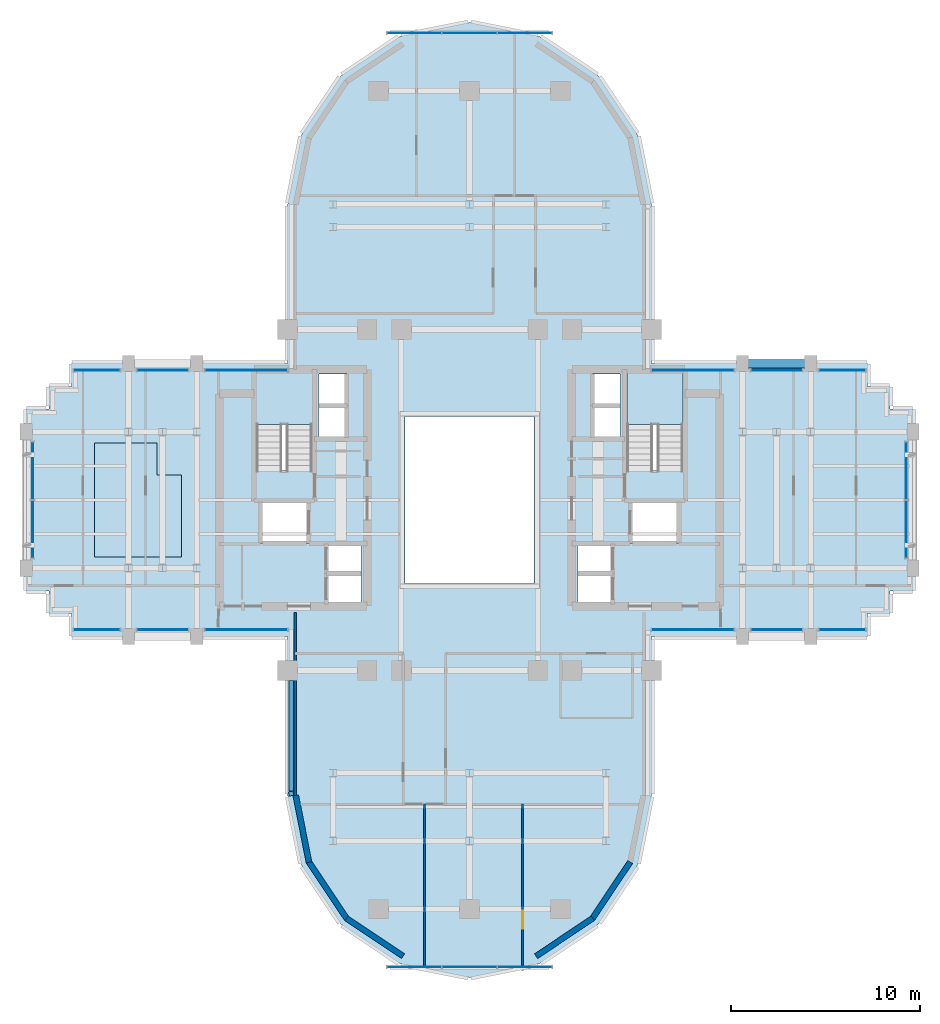
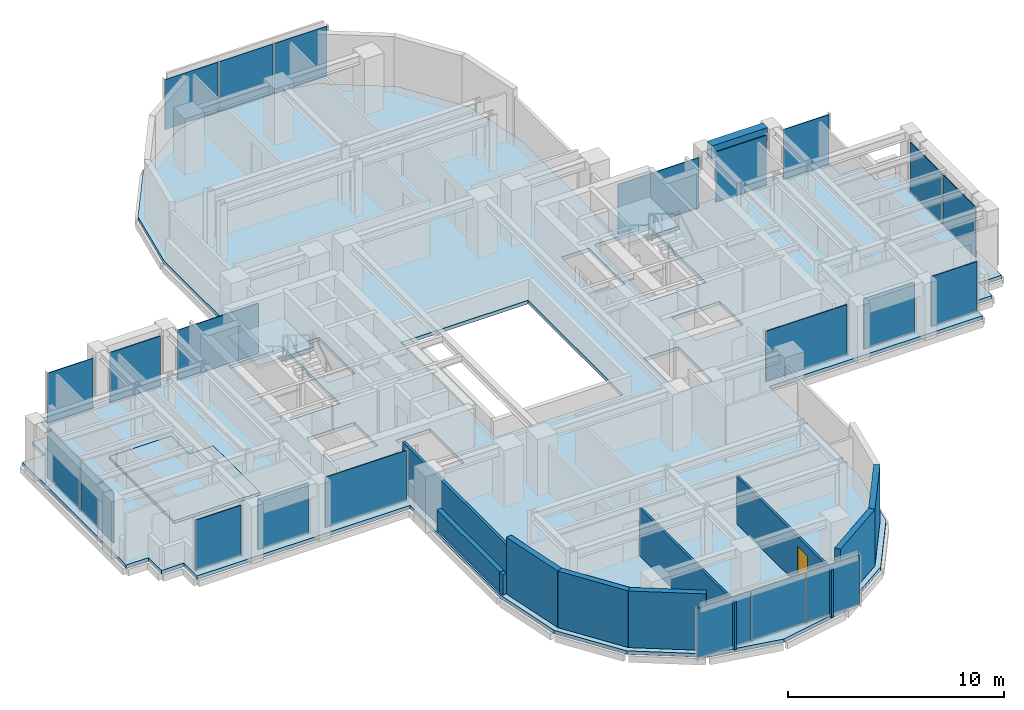
# One storey, part 7 of 14: 22 plates, 10 walls, 4 slabs, 1 beam, 1 door, 1 opening, 18 elements without a shape of their own.
"""IFC4 building model written with IfcOpenShell, lengths in metres."""

from ifc_helpers import new_model, si_unit, direction, frame, frame_2d, origin, origin_2d, place, context, subcontext, project, spatial, polyline, rectangle, outline, extrude, source, transform, mapped, material, layer, layer_set, material_profile, profile_set, type_object, element, fill, aggregate, save


model = new_model("IFC4")

# Units and contexts
model_context = context("Model", 3, precision=1e-05, world=origin(), true_north=direction((0.0, 1.0)))
body_context = subcontext(model_context, "Body", "Model", "MODEL_VIEW")
ifc_project = project(units=[si_unit("LENGTHUNIT", "METRE"), si_unit("AREAUNIT", "SQUARE_METRE"), si_unit("VOLUMEUNIT", "CUBIC_METRE"), si_unit("PLANEANGLEUNIT", "RADIAN"), si_unit("MASSUNIT", "GRAM", prefix="KILO")], contexts=[model_context])

# Site, building, storey
site_placement = place(None, origin())
site = spatial("IfcSite", under=ifc_project, at=site_placement, CompositionType="ELEMENT")
building_placement = place(site_placement, origin())
building = spatial("IfcBuilding", under=site, at=building_placement, Name="Keilestroom Media Tower", CompositionType="ELEMENT")
storey_placement = place(building_placement, frame((0.0, 0.0, 121.0)))
storey = spatial("IfcBuildingStorey", under=building, at=storey_placement, Name="L32", CompositionType="ELEMENT", Elevation=121.0)

# Beam
ifc_material_1 = material(Name="Precast concrete C40/50", Category="concrete")
ifc_material_profile = material_profile(ifc_material_1, rectangle(XDim=0.449951171875, YDim=0.75, at=origin_2d()), Name="PC 450x750")
ifc_profile_set = profile_set([ifc_material_profile], Name="Precast concrete C40/50")
beam_type = type_object("IfcBeamType", Name="Perimeter-Spandrel-Beam-PC-450x750", PredefinedType="SPANDREL", material=ifc_profile_set)
shared_shape_1 = source(origin(), body_context, "Body", "SweptSolid", [
    extrude(rectangle(XDim=0.449951171875, YDim=0.75, at=origin_2d()), origin(), (0.0, 0.0, 1.0), 2.989990234375),
])
beam_placement = place(storey_placement, frame((14.705078125, 7.199951171875, 2.824951171875), z_axis=(1.0, 0.0, 0.0), x_axis=(0.0, 1.0, 0.0)))
element("IfcBeam", 1, at=beam_placement, inside=storey, type_object=beam_type, Name="L32 Beam SPB-1 BM-L32-EW-027", PredefinedType="SPANDREL", context=body_context, shape_type="MappedRepresentation", body=[
    mapped(shared_shape_1, transform((0.0, 0.0, 0.0), x_axis=(1.0, 0.0, 0.0), y_axis=(0.0, 1.0, 0.0), z_axis=(0.0, 0.0, 1.0), scale=1.0)),
])

# Slabs
ifc_material_2 = material(Name="Concrete C50/60", Category="concrete")
ifc_layer_1 = layer(ifc_material_2, 0.199951171875)
ifc_layer_set_1 = layer_set([ifc_layer_1], Name="Concrete C50/60")
slab_type_1 = type_object("IfcSlabType", Name="Composite-Floor-Slab-200", PredefinedType="FLOOR", material=ifc_layer_set_1)
slab_1_placement = place(storey_placement, frame((0.0, 0.0, -0.199951171875)))
element("IfcSlab", 2, at=slab_1_placement, inside=storey, type_object=slab_type_1, Name="L32 Structural Composite Floor Slab", PredefinedType="FLOOR", context=body_context, shape_type="SweptSolid", body=[
    extrude(outline(polyline([(23.39990234375, -4.800048828125), (23.39990234375, 4.800048828125), (22.199951171875, 4.800048828125), (22.199951171875, 6.0), (21.0, 6.0), (21.0, 7.199951171875), (9.60009765625, 7.199951171875), (9.60009765625, 9.60009765625), (9.60009765625, 15.60009765625), (8.869140625, 19.273681640625), (6.7880859375, 22.38818359375), (3.673828125, 24.46923828125), (0.0, 25.199951171875), (-3.673828125, 24.46923828125), (-6.7880859375, 22.38818359375), (-8.869140625, 19.273681640625), (-9.60009765625, 15.60009765625), (-9.60009765625, 9.60009765625), (-9.60009765625, 7.199951171875), (-21.0, 7.199951171875), (-21.0, 6.0), (-22.199951171875, 6.0), (-22.199951171875, 4.800048828125), (-23.39990234375, 4.800048828125), (-23.39990234375, -4.800048828125), (-22.199951171875, -4.800048828125), (-22.199951171875, -6.0), (-21.0, -6.0), (-21.0, -7.199951171875), (-9.60009765625, -7.199951171875), (-9.60009765625, -9.60009765625), (-9.60009765625, -15.60009765625), (-8.869140625, -19.273681640625), (-6.7880859375, -22.38818359375), (-3.673828125, -24.46923828125), (0.0, -25.199951171875), (3.673828125, -24.46923828125), (6.7880859375, -22.38818359375), (8.869140625, -19.273681640625), (9.60009765625, -15.60009765625), (9.60009765625, -9.60009765625), (9.60009765625, -7.199951171875), (21.0, -7.199951171875), (21.0, -6.0), (22.199951171875, -6.0), (22.199951171875, -4.800048828125), (23.39990234375, -4.800048828125)]), holes=[polyline([(-11.260009765625, 1.544921875), (-11.260009765625, 6.760009765625), (-8.300048828125, 6.760009765625), (-8.300048828125, 1.544921875), (-11.260009765625, 1.544921875)]), polyline([(-11.050048828125, -2.280029296875), (-11.050048828125, -0.10009765625), (-8.47998046875, -0.10009765625), (-8.47998046875, -2.280029296875), (-11.050048828125, -2.280029296875)]), polyline([(-7.949951171875, 3.300048828125), (-7.949951171875, 6.64990234375), (-6.47998046875, 6.64990234375), (-6.47998046875, 3.300048828125), (-7.949951171875, 3.300048828125)]), polyline([(-7.56005859375, -2.320068359375), (-5.719970703125, -2.320068359375), (-5.719970703125, -5.47998046875), (-7.56005859375, -5.47998046875), (-7.56005859375, -2.320068359375)]), polyline([(3.39990234375, -4.39990234375), (-3.39990234375, -4.39990234375), (-3.39990234375, 4.39990234375), (3.39990234375, 4.39990234375), (3.39990234375, -4.39990234375)]), polyline([(7.56005859375, -2.320068359375), (7.56005859375, -5.47998046875), (5.719970703125, -5.47998046875), (5.719970703125, -2.320068359375), (7.56005859375, -2.320068359375)]), polyline([(6.47998046875, 3.300048828125), (6.47998046875, 6.64990234375), (7.949951171875, 6.64990234375), (7.949951171875, 3.300048828125), (6.47998046875, 3.300048828125)]), polyline([(8.300048828125, 1.544921875), (8.300048828125, 6.760009765625), (11.260009765625, 6.760009765625), (11.260009765625, 1.544921875), (8.300048828125, 1.544921875)]), polyline([(8.47998046875, -2.280029296875), (8.47998046875, -0.10009765625), (11.050048828125, -0.10009765625), (11.050048828125, -2.280029296875), (8.47998046875, -2.280029296875)])]), origin(), (0.0, 0.0, 1.0), 0.199951171875),
])
ifc_material_3 = material(Name="Concrete C45/55", Category="concrete")
ifc_layer_2 = layer(ifc_material_3, 0.14990234375)
ifc_layer_set_2 = layer_set([ifc_layer_2], Name="Concrete C45/55")
slab_type_2 = type_object("IfcSlabType", Name="Floating-Studio-Floor-Slab-150", PredefinedType="FLOOR", material=ifc_layer_set_2)
slab_2_placement = place(storey_placement, origin())
element("IfcSlab", 3, at=slab_2_placement, inside=storey, type_object=slab_type_2, Name="L32 Acoustic Floating Studio Slab ST-RAD-Z2", PredefinedType="FLOOR", context=body_context, shape_type="SweptSolid", body=[
    extrude(outline(polyline([(-19.800048828125, -3.0), (-15.199951171875, -3.0), (-15.199951171875, 1.320068359375), (-16.488037109375, 1.320068359375), (-16.488037109375, 3.0), (-19.800048828125, 3.0), (-19.800048828125, -3.0)])), origin(), (0.0, 0.0, 1.0), 0.14990234375),
])

# Stair, slab
stair_type = type_object("IfcStairType", Name="Enclosed-Dog-Leg-Stair-ST-CORE", PredefinedType="HALF_TURN_STAIR", material=ifc_material_3)
stair_1_placement = place(storey_placement, origin())
stair_1 = element("IfcStair", 4, at=stair_1_placement, inside=storey, type_object=stair_type, Name="L32 West Core Escape Stair ST-1", PredefinedType="HALF_TURN_STAIR")
ifc_layer_3 = layer(ifc_material_3, 0.199951171875)
ifc_layer_set_3 = layer_set([ifc_layer_3], Name="Concrete C45/55")
slab_type_3 = type_object("IfcSlabType", Name="Stair-Intermediate-And-Top-Landing-Slab-200", PredefinedType="LANDING", material=ifc_layer_set_3)
slab_3_placement = place(storey_placement, frame((0.0, 0.0, 1.5)))
slab_3 = element("IfcSlab", 5, at=slab_3_placement, type_object=slab_type_3, Name="ST-1 landing 1", PredefinedType="LANDING", context=body_context, shape_type="SweptSolid", body=[
    extrude(outline(polyline([(-8.300048828125, 3.99609375), (-8.300048828125, 6.760009765625), (-11.260009765625, 6.760009765625), (-11.260009765625, 3.99609375), (-8.300048828125, 3.99609375)])), origin(), (0.0, 0.0, 1.0), 0.199951171875),
])
aggregate(stair_1, [slab_3])

stair_2_placement = place(storey_placement, origin())
stair_2 = element("IfcStair", 6, at=stair_2_placement, inside=storey, type_object=stair_type, Name="L32 East Core Escape Stair ST-2", PredefinedType="HALF_TURN_STAIR")
slab_4_placement = place(storey_placement, frame((0.0, 0.0, 1.5)))
slab_4 = element("IfcSlab", 7, at=slab_4_placement, type_object=slab_type_3, Name="ST-2 landing 1", PredefinedType="LANDING", context=body_context, shape_type="SweptSolid", body=[
    extrude(outline(polyline([(11.260009765625, 3.99609375), (11.260009765625, 6.760009765625), (8.300048828125, 6.760009765625), (8.300048828125, 3.99609375), (11.260009765625, 3.99609375)])), origin(), (0.0, 0.0, 1.0), 0.199951171875),
])
aggregate(stair_2, [slab_4])

# Curtain wall, plates
ifc_material_4 = material(Name="Anodised Aluminium Alloy", Category="aluminium")
curtain_wall_type_1 = type_object("IfcCurtainWallType", Name="Unitised-Curtain-Wall-CW-6", PredefinedType="NOTDEFINED", material=ifc_material_4)
curtain_wall_1_placement = place(storey_placement, origin())
curtain_wall_1 = element("IfcCurtainWall", 8, at=curtain_wall_1_placement, inside=storey, type_object=curtain_wall_type_1, Name="L32 Curtain Wall CW-6 CW-L32-LN-1", PredefinedType="NOTDEFINED")
ifc_material_5 = material(Name="Curved-Facet Triple Glazed Unit", Category="glass")
ifc_layer_4 = layer(ifc_material_5, 0.033935546875)
ifc_layer_set_4 = layer_set([ifc_layer_4], Name="Curved-Facet Triple Glazed Unit")
plate_type_1 = type_object("IfcPlateType", Name="Insulated-Curtain-Wall-Glazing-Panel-CW-6", PredefinedType="CURTAIN_PANEL", material=ifc_layer_set_4)
shared_shape_2 = source(origin(), body_context, "Body", "SweptSolid", [
    extrude(rectangle(XDim=2.84375, YDim=0.033935546875, at=origin_2d()), origin(), (0.0, 0.0, 1.0), 2.833984375),
])
plate_1_placement = place(storey_placement, frame((-2.9169921875, 24.64990234375, 0.072998046875), z_axis=(0.0, 0.0, 1.0), x_axis=(1.0, 0.0, 0.0)))
plate_1 = element("IfcPlate", 9, at=plate_1_placement, type_object=plate_type_1, Name="CW-6 Unitised Glazing 00", PredefinedType="CURTAIN_PANEL", context=body_context, shape_type="MappedRepresentation", body=[
    mapped(shared_shape_2, transform((0.0, 0.0, 0.0), x_axis=(1.0, 0.0, 0.0), y_axis=(0.0, 1.0, 0.0), z_axis=(0.0, 0.0, 1.0), scale=1.0)),
])
plate_2_placement = place(storey_placement, frame((2.9169921875, 24.64990234375, 0.072998046875), z_axis=(0.0, 0.0, 1.0), x_axis=(1.0, 0.0, 0.0)))
plate_2 = element("IfcPlate", 10, at=plate_2_placement, type_object=plate_type_1, Name="CW-6 Unitised Glazing 02", PredefinedType="CURTAIN_PANEL", context=body_context, shape_type="MappedRepresentation", body=[
    mapped(shared_shape_2, transform((0.0, 0.0, 0.0), x_axis=(1.0, 0.0, 0.0), y_axis=(0.0, 1.0, 0.0), z_axis=(0.0, 0.0, 1.0), scale=1.0)),
])

curtain_wall_2_placement = place(storey_placement, origin())
curtain_wall_2 = element("IfcCurtainWall", 11, at=curtain_wall_2_placement, inside=storey, type_object=curtain_wall_type_1, Name="L32 Curtain Wall CW-6 CW-L32-LS-1", PredefinedType="NOTDEFINED")
plate_3_placement = place(storey_placement, frame((-2.9169921875, -24.64990234375, 0.072998046875), z_axis=(0.0, 0.0, 1.0), x_axis=(1.0, 0.0, 0.0)))
plate_3 = element("IfcPlate", 12, at=plate_3_placement, type_object=plate_type_1, Name="CW-6 Unitised Glazing 00", PredefinedType="CURTAIN_PANEL", context=body_context, shape_type="MappedRepresentation", body=[
    mapped(shared_shape_2, transform((0.0, 0.0, 0.0), x_axis=(1.0, 0.0, 0.0), y_axis=(0.0, 1.0, 0.0), z_axis=(0.0, 0.0, 1.0), scale=1.0)),
])
plate_4_placement = place(storey_placement, frame((2.9169921875, -24.64990234375, 0.072998046875), z_axis=(0.0, 0.0, 1.0), x_axis=(1.0, 0.0, 0.0)))
plate_4 = element("IfcPlate", 13, at=plate_4_placement, type_object=plate_type_1, Name="CW-6 Unitised Glazing 02", PredefinedType="CURTAIN_PANEL", context=body_context, shape_type="MappedRepresentation", body=[
    mapped(shared_shape_2, transform((0.0, 0.0, 0.0), x_axis=(1.0, 0.0, 0.0), y_axis=(0.0, 1.0, 0.0), z_axis=(0.0, 0.0, 1.0), scale=1.0)),
])

# Plate
shared_shape_3 = source(origin(), body_context, "Body", "SweptSolid", [
    extrude(rectangle(XDim=2.876220703125, YDim=0.033935546875, at=origin_2d()), origin(), (0.0, 0.0, 1.0), 2.833984375),
])
plate_5_placement = place(storey_placement, frame((0.0, 24.64990234375, 0.072998046875), z_axis=(0.0, 0.0, 1.0), x_axis=(1.0, 0.0, 0.0)))
plate_5 = element("IfcPlate", 14, at=plate_5_placement, type_object=plate_type_1, Name="CW-6 Unitised Glazing 01", PredefinedType="CURTAIN_PANEL", context=body_context, shape_type="MappedRepresentation", body=[
    mapped(shared_shape_3, transform((0.0, 0.0, 0.0), x_axis=(1.0, 0.0, 0.0), y_axis=(0.0, 1.0, 0.0), z_axis=(0.0, 0.0, 1.0), scale=1.0)),
])

aggregate(curtain_wall_1, [plate_1, plate_5, plate_2])

plate_6_placement = place(storey_placement, frame((0.0, -24.64990234375, 0.072998046875), z_axis=(0.0, 0.0, 1.0), x_axis=(1.0, 0.0, 0.0)))
plate_6 = element("IfcPlate", 15, at=plate_6_placement, type_object=plate_type_1, Name="CW-6 Unitised Glazing 01", PredefinedType="CURTAIN_PANEL", context=body_context, shape_type="MappedRepresentation", body=[
    mapped(shared_shape_3, transform((0.0, 0.0, 0.0), x_axis=(1.0, 0.0, 0.0), y_axis=(0.0, 1.0, 0.0), z_axis=(0.0, 0.0, 1.0), scale=1.0)),
])

aggregate(curtain_wall_2, [plate_3, plate_6, plate_4])

# Curtain wall, plate
curtain_wall_type_2 = type_object("IfcCurtainWallType", Name="Unitised-Curtain-Wall-CW-2", PredefinedType="NOTDEFINED", material=ifc_material_4)
curtain_wall_3_placement = place(storey_placement, origin())
curtain_wall_3 = element("IfcCurtainWall", 16, at=curtain_wall_3_placement, inside=storey, type_object=curtain_wall_type_2, Name="L32 Curtain Wall CW-2 CW-L32-NW-1", PredefinedType="NOTDEFINED")
ifc_material_6 = material(Name="Double Glazed Low-E Unit", Category="glass")
ifc_layer_5 = layer(ifc_material_6, 0.0419921875)
ifc_layer_set_5 = layer_set([ifc_layer_5], Name="Double Glazed Low-E Unit")
plate_type_2 = type_object("IfcPlateType", Name="Insulated-Curtain-Wall-Glazing-Panel-CW-2", PredefinedType="CURTAIN_PANEL", material=ifc_layer_set_5)
shared_shape_4 = source(origin(), body_context, "Body", "SweptSolid", [
    extrude(rectangle(XDim=2.43310546875, YDim=0.0419921875, at=origin_2d()), origin(), (0.0, 0.0, 1.0), 2.833984375),
])
plate_7_placement = place(storey_placement, frame((-19.66748046875, 6.85009765625, 0.072998046875), z_axis=(0.0, 0.0, 1.0), x_axis=(1.0, 0.0, 0.0)))
plate_7 = element("IfcPlate", 17, at=plate_7_placement, type_object=plate_type_2, Name="CW-2 Unitised Glazing 00", PredefinedType="CURTAIN_PANEL", context=body_context, shape_type="MappedRepresentation", body=[
    mapped(shared_shape_4, transform((0.0, 0.0, 0.0), x_axis=(1.0, 0.0, 0.0), y_axis=(0.0, 1.0, 0.0), z_axis=(0.0, 0.0, 1.0), scale=1.0)),
])
aggregate(curtain_wall_3, [plate_7])

curtain_wall_4_placement = place(storey_placement, origin())
curtain_wall_4 = element("IfcCurtainWall", 18, at=curtain_wall_4_placement, inside=storey, type_object=curtain_wall_type_2, Name="L32 Curtain Wall CW-2 CW-L32-NE-3", PredefinedType="NOTDEFINED")
plate_8_placement = place(storey_placement, frame((19.66748046875, 6.85009765625, 0.072998046875), z_axis=(0.0, 0.0, 1.0), x_axis=(1.0, 0.0, 0.0)))
plate_8 = element("IfcPlate", 19, at=plate_8_placement, type_object=plate_type_2, Name="CW-2 Unitised Glazing 00", PredefinedType="CURTAIN_PANEL", context=body_context, shape_type="MappedRepresentation", body=[
    mapped(shared_shape_4, transform((0.0, 0.0, 0.0), x_axis=(1.0, 0.0, 0.0), y_axis=(0.0, 1.0, 0.0), z_axis=(0.0, 0.0, 1.0), scale=1.0)),
])
aggregate(curtain_wall_4, [plate_8])

curtain_wall_5_placement = place(storey_placement, origin())
curtain_wall_5 = element("IfcCurtainWall", 20, at=curtain_wall_5_placement, inside=storey, type_object=curtain_wall_type_2, Name="L32 Curtain Wall CW-2 CW-L32-SW-1", PredefinedType="NOTDEFINED")
plate_9_placement = place(storey_placement, frame((-19.66748046875, -6.85009765625, 0.072998046875), z_axis=(0.0, 0.0, 1.0), x_axis=(1.0, 0.0, 0.0)))
plate_9 = element("IfcPlate", 21, at=plate_9_placement, type_object=plate_type_2, Name="CW-2 Unitised Glazing 00", PredefinedType="CURTAIN_PANEL", context=body_context, shape_type="MappedRepresentation", body=[
    mapped(shared_shape_4, transform((0.0, 0.0, 0.0), x_axis=(1.0, 0.0, 0.0), y_axis=(0.0, 1.0, 0.0), z_axis=(0.0, 0.0, 1.0), scale=1.0)),
])
aggregate(curtain_wall_5, [plate_9])

curtain_wall_6_placement = place(storey_placement, origin())
curtain_wall_6 = element("IfcCurtainWall", 22, at=curtain_wall_6_placement, inside=storey, type_object=curtain_wall_type_2, Name="L32 Curtain Wall CW-2 CW-L32-SE-3", PredefinedType="NOTDEFINED")
plate_10_placement = place(storey_placement, frame((19.66748046875, -6.85009765625, 0.072998046875), z_axis=(0.0, 0.0, 1.0), x_axis=(1.0, 0.0, 0.0)))
plate_10 = element("IfcPlate", 23, at=plate_10_placement, type_object=plate_type_2, Name="CW-2 Unitised Glazing 00", PredefinedType="CURTAIN_PANEL", context=body_context, shape_type="MappedRepresentation", body=[
    mapped(shared_shape_4, transform((0.0, 0.0, 0.0), x_axis=(1.0, 0.0, 0.0), y_axis=(0.0, 1.0, 0.0), z_axis=(0.0, 0.0, 1.0), scale=1.0)),
])
aggregate(curtain_wall_6, [plate_10])

curtain_wall_7_placement = place(storey_placement, origin())
curtain_wall_7 = element("IfcCurtainWall", 24, at=curtain_wall_7_placement, inside=storey, type_object=curtain_wall_type_2, Name="L32 Curtain Wall CW-2 CW-L32-NW-2", PredefinedType="NOTDEFINED")
shared_shape_5 = source(origin(), body_context, "Body", "SweptSolid", [
    extrude(rectangle(XDim=2.697998046875, YDim=0.0419921875, at=origin_2d()), origin(), (0.0, 0.0, 1.0), 2.833984375),
])
plate_11_placement = place(storey_placement, frame((-16.199951171875, 6.85009765625, 0.072998046875), z_axis=(0.0, 0.0, 1.0), x_axis=(1.0, 0.0, 0.0)))
plate_11 = element("IfcPlate", 25, at=plate_11_placement, type_object=plate_type_2, Name="CW-2 Unitised Glazing 00", PredefinedType="CURTAIN_PANEL", context=body_context, shape_type="MappedRepresentation", body=[
    mapped(shared_shape_5, transform((0.0, 0.0, 0.0), x_axis=(1.0, 0.0, 0.0), y_axis=(0.0, 1.0, 0.0), z_axis=(0.0, 0.0, 1.0), scale=1.0)),
])
aggregate(curtain_wall_7, [plate_11])

curtain_wall_8_placement = place(storey_placement, origin())
curtain_wall_8 = element("IfcCurtainWall", 26, at=curtain_wall_8_placement, inside=storey, type_object=curtain_wall_type_2, Name="L32 Curtain Wall CW-2 CW-L32-NE-2", PredefinedType="NOTDEFINED")
plate_12_placement = place(storey_placement, frame((16.199951171875, 6.85009765625, 0.072998046875), z_axis=(0.0, 0.0, 1.0), x_axis=(1.0, 0.0, 0.0)))
plate_12 = element("IfcPlate", 27, at=plate_12_placement, type_object=plate_type_2, Name="CW-2 Unitised Glazing 00", PredefinedType="CURTAIN_PANEL", context=body_context, shape_type="MappedRepresentation", body=[
    mapped(shared_shape_5, transform((0.0, 0.0, 0.0), x_axis=(1.0, 0.0, 0.0), y_axis=(0.0, 1.0, 0.0), z_axis=(0.0, 0.0, 1.0), scale=1.0)),
])
aggregate(curtain_wall_8, [plate_12])

curtain_wall_9_placement = place(storey_placement, origin())
curtain_wall_9 = element("IfcCurtainWall", 28, at=curtain_wall_9_placement, inside=storey, type_object=curtain_wall_type_2, Name="L32 Curtain Wall CW-2 CW-L32-SW-2", PredefinedType="NOTDEFINED")
plate_13_placement = place(storey_placement, frame((-16.199951171875, -6.85009765625, 0.072998046875), z_axis=(0.0, 0.0, 1.0), x_axis=(1.0, 0.0, 0.0)))
plate_13 = element("IfcPlate", 29, at=plate_13_placement, type_object=plate_type_2, Name="CW-2 Unitised Glazing 00", PredefinedType="CURTAIN_PANEL", context=body_context, shape_type="MappedRepresentation", body=[
    mapped(shared_shape_5, transform((0.0, 0.0, 0.0), x_axis=(1.0, 0.0, 0.0), y_axis=(0.0, 1.0, 0.0), z_axis=(0.0, 0.0, 1.0), scale=1.0)),
])
aggregate(curtain_wall_9, [plate_13])

curtain_wall_10_placement = place(storey_placement, origin())
curtain_wall_10 = element("IfcCurtainWall", 30, at=curtain_wall_10_placement, inside=storey, type_object=curtain_wall_type_2, Name="L32 Curtain Wall CW-2 CW-L32-SE-2", PredefinedType="NOTDEFINED")
plate_14_placement = place(storey_placement, frame((16.199951171875, -6.85009765625, 0.072998046875), z_axis=(0.0, 0.0, 1.0), x_axis=(1.0, 0.0, 0.0)))
plate_14 = element("IfcPlate", 31, at=plate_14_placement, type_object=plate_type_2, Name="CW-2 Unitised Glazing 00", PredefinedType="CURTAIN_PANEL", context=body_context, shape_type="MappedRepresentation", body=[
    mapped(shared_shape_5, transform((0.0, 0.0, 0.0), x_axis=(1.0, 0.0, 0.0), y_axis=(0.0, 1.0, 0.0), z_axis=(0.0, 0.0, 1.0), scale=1.0)),
])
aggregate(curtain_wall_10, [plate_14])

curtain_wall_11_placement = place(storey_placement, origin())
curtain_wall_11 = element("IfcCurtainWall", 32, at=curtain_wall_11_placement, inside=storey, type_object=curtain_wall_type_2, Name="L32 Curtain Wall CW-2 CW-L32-NW-3", PredefinedType="NOTDEFINED")
shared_shape_6 = source(origin(), body_context, "Body", "SweptSolid", [
    extrude(rectangle(XDim=4.3330078125, YDim=0.0419921875, at=origin_2d()), origin(), (0.0, 0.0, 1.0), 2.833984375),
])
plate_15_placement = place(storey_placement, frame((-11.782470703125, 6.85009765625, 0.072998046875), z_axis=(0.0, 0.0, 1.0), x_axis=(1.0, 0.0, 0.0)))
plate_15 = element("IfcPlate", 33, at=plate_15_placement, type_object=plate_type_2, Name="CW-2 Unitised Glazing 00", PredefinedType="CURTAIN_PANEL", context=body_context, shape_type="MappedRepresentation", body=[
    mapped(shared_shape_6, transform((0.0, 0.0, 0.0), x_axis=(1.0, 0.0, 0.0), y_axis=(0.0, 1.0, 0.0), z_axis=(0.0, 0.0, 1.0), scale=1.0)),
])
aggregate(curtain_wall_11, [plate_15])

curtain_wall_12_placement = place(storey_placement, origin())
curtain_wall_12 = element("IfcCurtainWall", 34, at=curtain_wall_12_placement, inside=storey, type_object=curtain_wall_type_2, Name="L32 Curtain Wall CW-2 CW-L32-NE-1", PredefinedType="NOTDEFINED")
plate_16_placement = place(storey_placement, frame((11.782470703125, 6.85009765625, 0.072998046875), z_axis=(0.0, 0.0, 1.0), x_axis=(1.0, 0.0, 0.0)))
plate_16 = element("IfcPlate", 35, at=plate_16_placement, type_object=plate_type_2, Name="CW-2 Unitised Glazing 00", PredefinedType="CURTAIN_PANEL", context=body_context, shape_type="MappedRepresentation", body=[
    mapped(shared_shape_6, transform((0.0, 0.0, 0.0), x_axis=(1.0, 0.0, 0.0), y_axis=(0.0, 1.0, 0.0), z_axis=(0.0, 0.0, 1.0), scale=1.0)),
])
aggregate(curtain_wall_12, [plate_16])

curtain_wall_13_placement = place(storey_placement, origin())
curtain_wall_13 = element("IfcCurtainWall", 36, at=curtain_wall_13_placement, inside=storey, type_object=curtain_wall_type_2, Name="L32 Curtain Wall CW-2 CW-L32-SW-3", PredefinedType="NOTDEFINED")
plate_17_placement = place(storey_placement, frame((-11.782470703125, -6.85009765625, 0.072998046875), z_axis=(0.0, 0.0, 1.0), x_axis=(1.0, 0.0, 0.0)))
plate_17 = element("IfcPlate", 37, at=plate_17_placement, type_object=plate_type_2, Name="CW-2 Unitised Glazing 00", PredefinedType="CURTAIN_PANEL", context=body_context, shape_type="MappedRepresentation", body=[
    mapped(shared_shape_6, transform((0.0, 0.0, 0.0), x_axis=(1.0, 0.0, 0.0), y_axis=(0.0, 1.0, 0.0), z_axis=(0.0, 0.0, 1.0), scale=1.0)),
])
aggregate(curtain_wall_13, [plate_17])

curtain_wall_14_placement = place(storey_placement, origin())
curtain_wall_14 = element("IfcCurtainWall", 38, at=curtain_wall_14_placement, inside=storey, type_object=curtain_wall_type_2, Name="L32 Curtain Wall CW-2 CW-L32-SE-1", PredefinedType="NOTDEFINED")
plate_18_placement = place(storey_placement, frame((11.782470703125, -6.85009765625, 0.072998046875), z_axis=(0.0, 0.0, 1.0), x_axis=(1.0, 0.0, 0.0)))
plate_18 = element("IfcPlate", 39, at=plate_18_placement, type_object=plate_type_2, Name="CW-2 Unitised Glazing 00", PredefinedType="CURTAIN_PANEL", context=body_context, shape_type="MappedRepresentation", body=[
    mapped(shared_shape_6, transform((0.0, 0.0, 0.0), x_axis=(1.0, 0.0, 0.0), y_axis=(0.0, 1.0, 0.0), z_axis=(0.0, 0.0, 1.0), scale=1.0)),
])
aggregate(curtain_wall_14, [plate_18])

# Curtain wall, plates
curtain_wall_15_placement = place(storey_placement, origin())
curtain_wall_15 = element("IfcCurtainWall", 40, at=curtain_wall_15_placement, inside=storey, type_object=curtain_wall_type_2, Name="L32 Curtain Wall CW-2 CW-L32-W-1", PredefinedType="NOTDEFINED")
shared_shape_7 = source(origin(), body_context, "Body", "SweptSolid", [
    extrude(rectangle(XDim=3.01806640625, YDim=0.0419921875, at=origin_2d()), origin(), (0.0, 0.0, 1.0), 2.833984375),
])
plate_19_placement = place(storey_placement, frame((-23.050048828125, -1.5400390625, 0.072998046875), z_axis=(0.0, 0.0, 1.0), x_axis=(0.0, 1.0, 0.0)))
plate_19 = element("IfcPlate", 41, at=plate_19_placement, type_object=plate_type_2, Name="CW-2 Unitised Glazing 00", PredefinedType="CURTAIN_PANEL", context=body_context, shape_type="MappedRepresentation", body=[
    mapped(shared_shape_7, transform((0.0, 0.0, 0.0), x_axis=(1.0, 0.0, 0.0), y_axis=(0.0, 1.0, 0.0), z_axis=(0.0, 0.0, 1.0), scale=1.0)),
])
plate_20_placement = place(storey_placement, frame((-23.050048828125, 1.5400390625, 0.072998046875), z_axis=(0.0, 0.0, 1.0), x_axis=(0.0, 1.0, 0.0)))
plate_20 = element("IfcPlate", 42, at=plate_20_placement, type_object=plate_type_2, Name="CW-2 Unitised Glazing 01", PredefinedType="CURTAIN_PANEL", context=body_context, shape_type="MappedRepresentation", body=[
    mapped(shared_shape_7, transform((0.0, 0.0, 0.0), x_axis=(1.0, 0.0, 0.0), y_axis=(0.0, 1.0, 0.0), z_axis=(0.0, 0.0, 1.0), scale=1.0)),
])
aggregate(curtain_wall_15, [plate_19, plate_20])

curtain_wall_16_placement = place(storey_placement, origin())
curtain_wall_16 = element("IfcCurtainWall", 43, at=curtain_wall_16_placement, inside=storey, type_object=curtain_wall_type_2, Name="L32 Curtain Wall CW-2 CW-L32-E-1", PredefinedType="NOTDEFINED")
plate_21_placement = place(storey_placement, frame((23.050048828125, -1.5400390625, 0.072998046875), z_axis=(0.0, 0.0, 1.0), x_axis=(0.0, 1.0, 0.0)))
plate_21 = element("IfcPlate", 44, at=plate_21_placement, type_object=plate_type_2, Name="CW-2 Unitised Glazing 00", PredefinedType="CURTAIN_PANEL", context=body_context, shape_type="MappedRepresentation", body=[
    mapped(shared_shape_7, transform((0.0, 0.0, 0.0), x_axis=(1.0, 0.0, 0.0), y_axis=(0.0, 1.0, 0.0), z_axis=(0.0, 0.0, 1.0), scale=1.0)),
])
plate_22_placement = place(storey_placement, frame((23.050048828125, 1.5400390625, 0.072998046875), z_axis=(0.0, 0.0, 1.0), x_axis=(0.0, 1.0, 0.0)))
plate_22 = element("IfcPlate", 45, at=plate_22_placement, type_object=plate_type_2, Name="CW-2 Unitised Glazing 01", PredefinedType="CURTAIN_PANEL", context=body_context, shape_type="MappedRepresentation", body=[
    mapped(shared_shape_7, transform((0.0, 0.0, 0.0), x_axis=(1.0, 0.0, 0.0), y_axis=(0.0, 1.0, 0.0), z_axis=(0.0, 0.0, 1.0), scale=1.0)),
])
aggregate(curtain_wall_16, [plate_21, plate_22])

# Walls
ifc_layer_6 = layer(ifc_material_1, 0.300048828125)
ifc_layer_set_6 = layer_set([ifc_layer_6], Name="Precast concrete C40/50")
wall_type_1 = type_object("IfcWallType", Name="Exterior-Masonry-Spandrel-Wall-300", PredefinedType="SOLIDWALL", material=ifc_layer_set_6)
for number, where, z_axis, x_axis, name in (
    (46, (-9.1748046875, -15.585205078125, 0.0), (0.0, 0.0, 1.0), (0.195114232679, -0.980780523974, 0.0), "L32 Lobe Facet Precast Frame Wall 07"),
    (47, (-8.48193359375, -19.097412109375, 0.0), (0.0, 0.0, 1.0), (0.555574187116, -0.831466970246, 0.0), "L32 Lobe Facet Precast Frame Wall 08"),
):
    element("IfcWall", number, at=place(storey_placement, frame(where, z_axis=z_axis, x_axis=x_axis)), inside=storey, type_object=wall_type_1, Name=name, PredefinedType="SOLIDWALL", context=body_context, shape_type="SweptSolid", body=[
        extrude(rectangle(XDim=3.608642578125, YDim=0.300048828125, at=frame_2d((1.80419921875, 0.0))), origin(), (0.0, 0.0, 1.0), 3.199951171875),
    ])
for number, where, z_axis, x_axis, name in (
    (48, (-6.497802734375, -22.0771484375, 0.0), (0.0, 0.0, 1.0), (0.8314749531, -0.555562239868, 0.0), "L32 Lobe Facet Precast Frame Wall 09"),
    (49, (3.510009765625, -24.073486328125, 0.0), (0.0, 0.0, 1.0), (0.8314749531, 0.555562239868, 0.0), "L32 Lobe Facet Precast Frame Wall 10"),
):
    element("IfcWall", number, at=place(storey_placement, frame(where, z_axis=z_axis, x_axis=x_axis)), inside=storey, type_object=wall_type_1, Name=name, PredefinedType="SOLIDWALL", context=body_context, shape_type="SweptSolid", body=[
        extrude(rectangle(XDim=3.59326171875, YDim=0.300048828125, at=frame_2d((1.796630859375, 0.0))), origin(), (0.0, 0.0, 1.0), 3.199951171875),
    ])
wall_1_placement = place(storey_placement, frame((6.47705078125, -22.097900390625, 0.0), z_axis=(0.0, 0.0, 1.0), x_axis=(0.555574187116, 0.831466970246, 0.0)))
element("IfcWall", 50, at=wall_1_placement, inside=storey, type_object=wall_type_1, Name="L32 Lobe Facet Precast Frame Wall 11", PredefinedType="SOLIDWALL", context=body_context, shape_type="SweptSolid", body=[
    extrude(rectangle(XDim=3.608642578125, YDim=0.300048828125, at=frame_2d((1.80419921875, 0.0))), origin(), (0.0, 0.0, 1.0), 3.199951171875),
])
ifc_material_7 = material(Name="Gypsum Plasterboard & Steel Stud", Category="steel")
ifc_layer_7 = layer(ifc_material_7, 0.1201171875)
ifc_layer_set_7 = layer_set([ifc_layer_7], Name="Gypsum Plasterboard & Steel Stud")
wall_type_2 = type_object("IfcWallType", Name="Interior-Partition-Wall-120", PredefinedType="PARTITIONING", material=ifc_layer_set_7)
wall_2_placement = place(storey_placement, frame((-2.3798828125, -24.820068359375, 0.0), z_axis=(0.0, 0.0, 1.0), x_axis=(0.0, 1.0, 0.0)))
element("IfcWall", 51, at=wall_2_placement, inside=storey, type_object=wall_type_2, Name="L32 Interior Wall WP-L32-SL-TV1", PredefinedType="PARTITIONING", context=body_context, shape_type="SweptSolid", body=[
    extrude(rectangle(XDim=8.77001953125, YDim=0.1201171875, at=frame_2d((4.385009765625, 0.0))), origin(), (0.0, 0.0, 1.0), 2.699951171875),
])

# Wall, opening, door
wall_3_placement = place(storey_placement, frame((2.800048828125, -24.820068359375, 0.0), z_axis=(0.0, 0.0, 1.0), x_axis=(0.0, 1.0, 0.0)))
wall_3 = element("IfcWall", 52, at=wall_3_placement, inside=storey, type_object=wall_type_2, Name="L32 Interior Wall WP-L32-SL-TV2", PredefinedType="PARTITIONING", context=body_context, shape_type="SweptSolid", body=[
    extrude(rectangle(XDim=8.77001953125, YDim=0.1201171875, at=frame_2d((4.385009765625, 0.0))), origin(), (0.0, 0.0, 1.0), 2.699951171875),
])
opening_placement = place(wall_3_placement, frame((2.199951171875, 0.0, 0.0)))
opening = element("IfcOpeningElement", 53, at=opening_placement, cuts=wall_3, Name="Opening DI-03", PredefinedType="OPENING", context=body_context, shape_type="SweptSolid", body=[
    extrude(rectangle(XDim=0.949951171875, YDim=2.14990234375, at=frame_2d((0.47509765625, 1.074951171875))), frame((0.0, 0.070068359375, 0.0), z_axis=(0.0, -1.0, 0.0), x_axis=(1.0, 0.0, 0.0)), (0.0, 0.0, 1.0), 0.14013671875),
])
ifc_material_8 = material(Name="Lacquered European Oak Leaf", Category="wood")
door_type = type_object("IfcDoorType", Name="Interior-Room-And-Suite-Door-DI-03", OperationType="NOTDEFINED", PredefinedType="DOOR", material=ifc_material_8)
shared_shape_8 = source(origin(), body_context, "Body", "SweptSolid", [
    extrude(rectangle(XDim=0.949951171875, YDim=2.14990234375, at=frame_2d((0.47509765625, 1.074951171875))), frame((0.0, 0.02490234375, 0.0), z_axis=(0.0, -1.0, 0.0), x_axis=(1.0, 0.0, 0.0)), (0.0, 0.0, 1.0), 0.050048828125),
])
door_placement = place(opening_placement, origin())
door = element("IfcDoor", 54, at=door_placement, inside=storey, type_object=door_type, Name="L32 Interior Door DI-L32-DSL-TIP3", OperationType="SINGLE_SWING_RIGHT", OverallHeight=2.14990234375, OverallWidth=0.949951171875, PredefinedType="DOOR", context=body_context, shape_type="MappedRepresentation", body=[
    mapped(shared_shape_8, transform((0.0, 0.0, 0.0), x_axis=(1.0, 0.0, 0.0), y_axis=(0.0, 1.0, 0.0), z_axis=(0.0, 0.0, 1.0), scale=1.0)),
])
fill(opening, door)

# Walls
ifc_layer_8 = layer(ifc_material_7, 0.14990234375)
ifc_layer_set_8 = layer_set([ifc_layer_8], Name="Gypsum Plasterboard & Steel Stud")
wall_type_3 = type_object("IfcWallType", Name="Interior-Partition-Wall-150", PredefinedType="PARTITIONING", material=ifc_layer_set_8)
wall_4_placement = place(storey_placement, frame((-9.199951171875, -15.679931640625, 0.0), z_axis=(0.0, 0.0, 1.0), x_axis=(0.0, 1.0, 0.0)))
element("IfcWall", 55, at=wall_4_placement, inside=storey, type_object=wall_type_3, Name="L32 Interior Wall WP-L32-SL-CHKW", PredefinedType="PARTITIONING", context=body_context, shape_type="SweptSolid", body=[
    extrude(rectangle(XDim=9.739990234375, YDim=0.14990234375, at=frame_2d((4.8701171875, 0.0))), origin(), (0.0, 0.0, 1.0), 2.699951171875),
])
ifc_layer_9 = layer(ifc_material_1, 0.239990234375)
ifc_layer_set_9 = layer_set([ifc_layer_9], Name="Precast concrete C40/50")
wall_type_4 = type_object("IfcWallType", Name="Roof-And-Terrace-Parapet-Wall-240", PredefinedType="PARAPET", material=ifc_layer_set_9)
wall_5_placement = place(storey_placement, frame((-9.395263671875, -15.604248046875, 0.0), z_axis=(0.0, 0.0, 1.0), x_axis=(-0.194652052864, 0.980872355771, 0.0)))
element("IfcWall", 56, at=wall_5_placement, inside=storey, type_object=wall_type_4, Name="L32 Perimeter Edge Parapet Wall 07", PredefinedType="PARAPET", context=body_context, shape_type="SweptSolid", body=[
    extrude(rectangle(XDim=0.224609375, YDim=0.239990234375, at=frame_2d((0.1123046875, 0.0))), origin(), (0.0, 0.0, 1.0), 1.14990234375),
])
wall_6_placement = place(storey_placement, frame((-9.39990234375, -15.357666015625, 0.0), z_axis=(0.0, 0.0, 1.0), x_axis=(0.0, 1.0, 0.0)))
element("IfcWall", 57, at=wall_6_placement, inside=storey, type_object=wall_type_4, Name="L32 Perimeter Edge Parapet Wall 08", PredefinedType="PARAPET", context=body_context, shape_type="SweptSolid", body=[
    extrude(rectangle(XDim=5.82958984375, YDim=0.239990234375, at=frame_2d((2.914794921875, 0.0))), origin(), (0.0, 0.0, 1.0), 1.14990234375),
])

save(model, "model.ifc")
